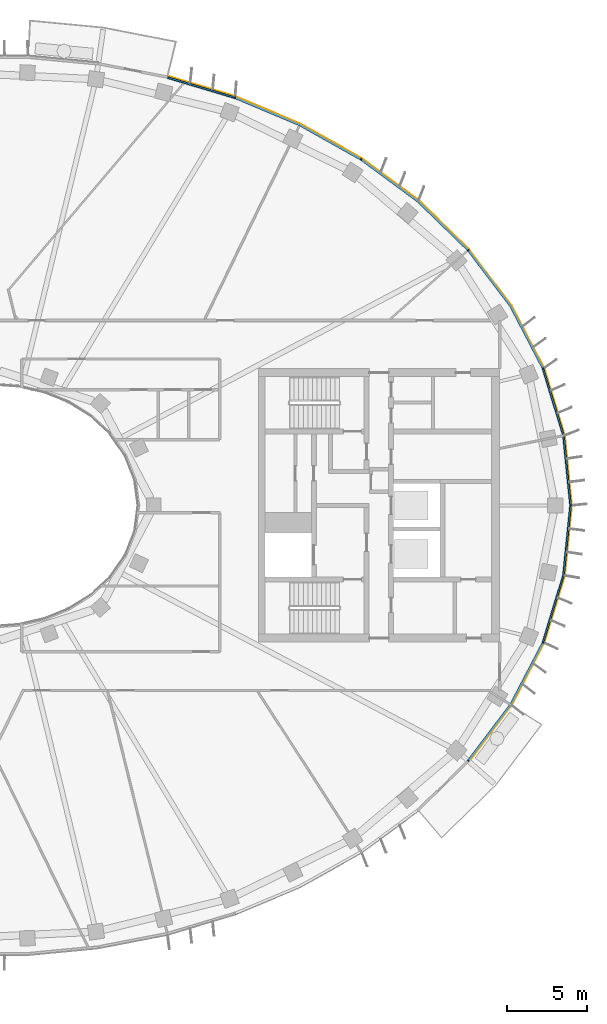
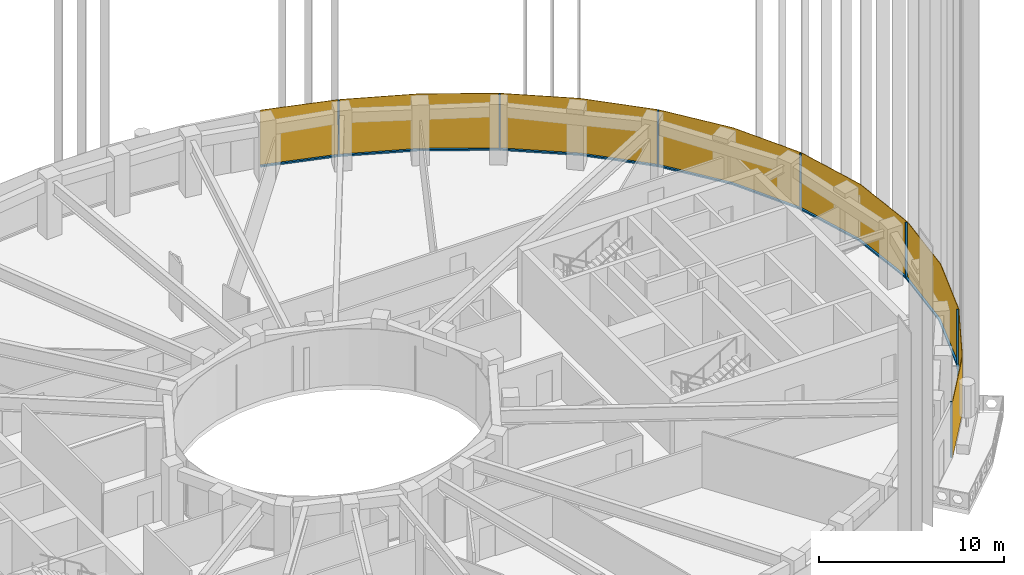
# One storey, part 13 of 17: 14 members, 1 curtain wall.
"""IFC4 building model written with IfcOpenShell, lengths in metres."""

from ifc_helpers import new_model, si_unit, direction, frame, origin, origin_2d, place, context, subcontext, project, spatial, polyline, rectangle, outline, extrude, material, layer, layer_set, material_profile, profile_set, type_object, element, aggregate, save


model = new_model("IFC4")

# Units and contexts
model_context = context("Model", 3, precision=1e-05, world=origin(), true_north=direction((0.0, 1.0)))
body_context = subcontext(model_context, "Body", "Model", "MODEL_VIEW")
ifc_project = project(units=[si_unit("LENGTHUNIT", "METRE"), si_unit("AREAUNIT", "SQUARE_METRE"), si_unit("VOLUMEUNIT", "CUBIC_METRE"), si_unit("PLANEANGLEUNIT", "RADIAN"), si_unit("MASSUNIT", "GRAM", prefix="KILO")], contexts=[model_context])

# Member
ifc_material_1 = material(Name="Aluminium 6063-T6 black anodised", Category="aluminium")
ifc_material_profile = material_profile(ifc_material_1, rectangle(XDim=0.1201171875, YDim=0.06005859375, at=origin_2d()), Name="120x60")
ifc_profile_set = profile_set([ifc_material_profile], Name="Aluminium 6063-T6 black anodised")
member_type_1 = type_object("IfcMemberType", Name="ENV-MULLION-A-120", PredefinedType="MULLION", material=ifc_profile_set)
site_placement = place(None, origin())
building_placement = place(site_placement, origin())
storey_placement = place(building_placement, frame((0.0, 0.0, 291.0)))
member_1_placement = place(storey_placement, frame((29.53857421875, -15.8671875, 0.0), z_axis=(0.0, 0.0, 1.0), x_axis=(-0.749047221705, 0.662516610853, 0.0)))
member_1 = element("IfcMember", 1, at=member_1_placement, type_object=member_type_1, Name="Mullion A radial 43", PredefinedType="MULLION", context=body_context, shape_type="SweptSolid", body=[
    extrude(rectangle(XDim=0.1201171875, YDim=0.06005859375, at=origin_2d()), origin(), (0.0, 0.0, 1.0), 3.699951171875),
])

member_2_placement = place(storey_placement, frame((34.19580078125, -8.513916015625, 0.0), z_axis=(0.0, 0.0, 1.0), x_axis=(-0.92546738067, 0.378827305398, 0.0)))
member_2 = element("IfcMember", 2, at=member_2_placement, type_object=member_type_1, Name="Mullion A radial 45", PredefinedType="MULLION", context=body_context, shape_type="SweptSolid", body=[
    extrude(rectangle(XDim=0.1201171875, YDim=0.06005859375, at=origin_2d()), origin(), (0.0, 0.0, 1.0), 3.699951171875),
])

member_3_placement = place(storey_placement, frame((35.907958984375, 0.0, 0.0), z_axis=(0.0, 0.0, 1.0), x_axis=(-1.0, 0.0, 0.0)))
member_3 = element("IfcMember", 3, at=member_3_placement, type_object=member_type_1, Name="Mullion A radial 01", PredefinedType="MULLION", context=body_context, shape_type="SweptSolid", body=[
    extrude(rectangle(XDim=0.1201171875, YDim=0.06005859375, at=origin_2d()), origin(), (0.0, 0.0, 1.0), 3.699951171875),
])

member_4_placement = place(storey_placement, frame((34.19580078125, 8.513916015625, 0.0), z_axis=(0.0, 0.0, 1.0), x_axis=(-0.92546738067, -0.378827305398, 0.0)))
member_4 = element("IfcMember", 4, at=member_4_placement, type_object=member_type_1, Name="Mullion A radial 03", PredefinedType="MULLION", context=body_context, shape_type="SweptSolid", body=[
    extrude(rectangle(XDim=0.1201171875, YDim=0.06005859375, at=origin_2d()), origin(), (0.0, 0.0, 1.0), 3.699951171875),
])

member_5_placement = place(storey_placement, frame((29.53857421875, 15.8671875, 0.0), z_axis=(0.0, 0.0, 1.0), x_axis=(-0.749047221705, -0.662516610853, 0.0)))
member_5 = element("IfcMember", 5, at=member_5_placement, type_object=member_type_1, Name="Mullion A radial 05", PredefinedType="MULLION", context=body_context, shape_type="SweptSolid", body=[
    extrude(rectangle(XDim=0.1201171875, YDim=0.06005859375, at=origin_2d()), origin(), (0.0, 0.0, 1.0), 3.699951171875),
])

member_6_placement = place(storey_placement, frame((22.882568359375, 21.506591796875, 0.0), z_axis=(0.0, 0.0, 1.0), x_axis=(-0.542279153225, -0.840198381323, 0.0)))
member_6 = element("IfcMember", 6, at=member_6_placement, type_object=member_type_1, Name="Mullion A radial 07", PredefinedType="MULLION", context=body_context, shape_type="SweptSolid", body=[
    extrude(rectangle(XDim=0.1201171875, YDim=0.06005859375, at=origin_2d()), origin(), (0.0, 0.0, 1.0), 3.699951171875),
])

member_7_placement = place(storey_placement, frame((15.0341796875, 25.34375, 0.0), z_axis=(0.0, 0.0, 1.0), x_axis=(-0.338379256581, -0.941009818608, 0.0)))
member_7 = element("IfcMember", 7, at=member_7_placement, type_object=member_type_1, Name="Mullion A radial 09", PredefinedType="MULLION", context=body_context, shape_type="SweptSolid", body=[
    extrude(rectangle(XDim=0.1201171875, YDim=0.06005859375, at=origin_2d()), origin(), (0.0, 0.0, 1.0), 3.699951171875),
])

ifc_material_2 = material(Name="Aluminium 6063-T6 black anodised", Category="aluminium")
member_type_2 = type_object("IfcMemberType", Name="ENV-TRANSOM-A", PredefinedType="USERDEFINED", material=ifc_material_2)
member_8_placement = place(storey_placement, origin())
member_8 = element("IfcMember", 8, at=member_8_placement, type_object=member_type_2, Name="Transom A radial 43-45", ObjectType="TRANSOM", PredefinedType="USERDEFINED", context=body_context, shape_type="SweptSolid", body=[
    extrude(outline(polyline([(29.6005859375, -15.884521484375), (32.22802734375, -12.41748046875), (34.23828125, -8.5615234375), (34.126708984375, -8.515869140625), (32.126220703125, -12.35302734375), (29.51025390625, -15.8046875), (29.6005859375, -15.884521484375)])), origin(), (0.0, 0.0, 1.0), 0.10009765625),
])

member_9_placement = place(storey_placement, origin())
member_9 = element("IfcMember", 9, at=member_9_placement, type_object=member_type_2, Name="Transom A radial 45-01", ObjectType="TRANSOM", PredefinedType="USERDEFINED", context=body_context, shape_type="SweptSolid", body=[
    extrude(outline(polyline([(34.259521484375, -8.509765625), (35.529541015625, -4.352294921875), (35.965087890625, -0.02783203125), (35.844482421875, -0.02783203125), (35.411376953125, -4.32861328125), (34.14794921875, -8.464111328125), (34.259521484375, -8.509765625)])), origin(), (0.0, 0.0, 1.0), 0.10009765625),
])

member_10_placement = place(storey_placement, origin())
member_10 = element("IfcMember", 10, at=member_10_placement, type_object=member_type_2, Name="Transom A radial 01-03", ObjectType="TRANSOM", PredefinedType="USERDEFINED", context=body_context, shape_type="SweptSolid", body=[
    extrude(outline(polyline([(35.965087890625, 0.02783203125), (35.529541015625, 4.352294921875), (34.259521484375, 8.509765625), (34.14794921875, 8.464111328125), (35.411376953125, 4.32861328125), (35.844482421875, 0.02783203125), (35.965087890625, 0.02783203125)])), origin(), (0.0, 0.0, 1.0), 0.10009765625),
])

member_11_placement = place(storey_placement, origin())
member_11 = element("IfcMember", 11, at=member_11_placement, type_object=member_type_2, Name="Transom A radial 03-05", ObjectType="TRANSOM", PredefinedType="USERDEFINED", context=body_context, shape_type="SweptSolid", body=[
    extrude(outline(polyline([(34.23828125, 8.5615234375), (32.22802734375, 12.41748046875), (29.6005859375, 15.884521484375), (29.51025390625, 15.8046875), (32.126220703125, 12.35302734375), (34.126708984375, 8.515869140625), (34.23828125, 8.5615234375)])), origin(), (0.0, 0.0, 1.0), 0.10009765625),
])

member_12_placement = place(storey_placement, origin())
member_12 = element("IfcMember", 12, at=member_12_placement, type_object=member_type_2, Name="Transom A radial 05-07", ObjectType="TRANSOM", PredefinedType="USERDEFINED", context=body_context, shape_type="SweptSolid", body=[
    extrude(outline(polyline([(29.5634765625, 15.926513671875), (26.4423828125, 18.958740234375), (22.937744140625, 21.540283203125), (22.87255859375, 21.439208984375), (26.364501953125, 18.866943359375), (29.473388671875, 15.8466796875), (29.5634765625, 15.926513671875)])), origin(), (0.0, 0.0, 1.0), 0.10009765625),
])

member_13_placement = place(storey_placement, origin())
member_13 = element("IfcMember", 13, at=member_13_placement, type_object=member_type_2, Name="Transom A radial 07-09", ObjectType="TRANSOM", PredefinedType="USERDEFINED", context=body_context, shape_type="SweptSolid", body=[
    extrude(outline(polyline([(22.890625, 21.570556640625), (19.093994140625, 23.701416015625), (15.080322265625, 25.389404296875), (15.03955078125, 25.276123046875), (19.041259765625, 23.593505859375), (22.825439453125, 21.469482421875), (22.890625, 21.570556640625)])), origin(), (0.0, 0.0, 1.0), 0.10009765625),
])

member_14_placement = place(storey_placement, origin())
member_14 = element("IfcMember", 14, at=member_14_placement, type_object=member_type_2, Name="Transom A radial 09-10", ObjectType="TRANSOM", PredefinedType="USERDEFINED", context=body_context, shape_type="SweptSolid", body=[
    extrude(outline(polyline([(15.027587890625, 25.408203125), (10.876708984375, 26.657470703125), (10.847900390625, 26.540771484375), (14.987060546875, 25.295166015625), (15.027587890625, 25.408203125)])), origin(), (0.0, 0.0, 1.0), 0.10009765625),
])

# Site, building, storey
site = spatial("IfcSite", under=ifc_project, at=site_placement, CompositionType="ELEMENT")
building = spatial("IfcBuilding", under=site, at=building_placement, Name="Noorbagh Ring Tower", CompositionType="ELEMENT")
storey = spatial("IfcBuildingStorey", under=building, at=storey_placement, Name="L62", CompositionType="ELEMENT", Elevation=291.0)

# Curtain wall
ifc_material_3 = material(Name="Glass dark tinted laminated", Category="glass")
ifc_layer = layer(ifc_material_3, 0.031982421875)
ifc_layer_set = layer_set([ifc_layer], Name="Glass dark tinted laminated")
curtain_wall_type = type_object("IfcCurtainWallType", Name="ENV-CW-A", PredefinedType="NOTDEFINED", material=ifc_layer_set)
curtain_wall_placement = place(storey_placement, origin())
curtain_wall = element("IfcCurtainWall", 15, at=curtain_wall_placement, inside=storey, type_object=curtain_wall_type, Name="Curtain wall A R43", PredefinedType="NOTDEFINED", context=body_context, shape_type="SweptSolid", body=[
    extrude(outline(polyline([(29.61962890625, -15.912109375), (32.255126953125, -12.434814453125), (34.281005859375, -8.548828125), (35.561279296875, -4.358642578125), (36.0, 0.0), (35.561279296875, 4.358642578125), (34.281005859375, 8.548828125), (32.255126953125, 12.434814453125), (29.607666015625, 15.927978515625), (26.463134765625, 18.9833984375), (22.9326171875, 21.583740234375), (19.108154296875, 23.730224609375), (15.065185546875, 25.430419921875), (10.884521484375, 26.6884765625), (10.876708984375, 26.657470703125), (15.054443359375, 25.400146484375), (19.093994140625, 23.701416015625), (22.9150390625, 21.556884765625), (26.4423828125, 18.958740234375), (29.58349609375, 15.906982421875), (32.22802734375, 12.41748046875), (34.251220703125, 8.53662109375), (35.529541015625, 4.352294921875), (35.9677734375, 0.0), (35.529541015625, -4.352294921875), (34.251220703125, -8.53662109375), (32.22802734375, -12.41748046875), (29.595703125, -15.890869140625), (29.61962890625, -15.912109375)])), origin(), (0.0, 0.0, 1.0), 3.699951171875),
])

aggregate(curtain_wall, [member_1, member_2, member_3, member_4, member_5, member_6, member_7, member_8, member_9, member_10, member_11, member_12, member_13, member_14])

save(model, "model.ifc")
